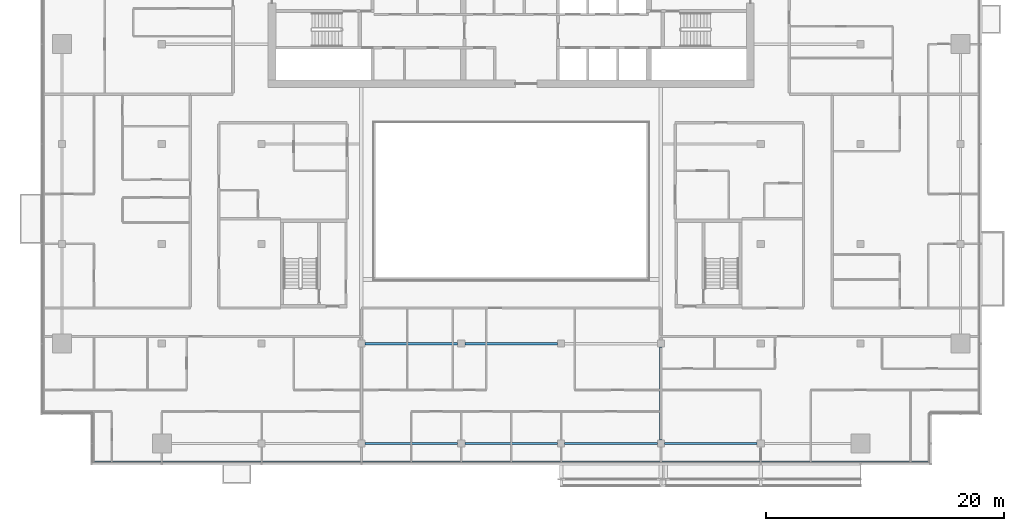
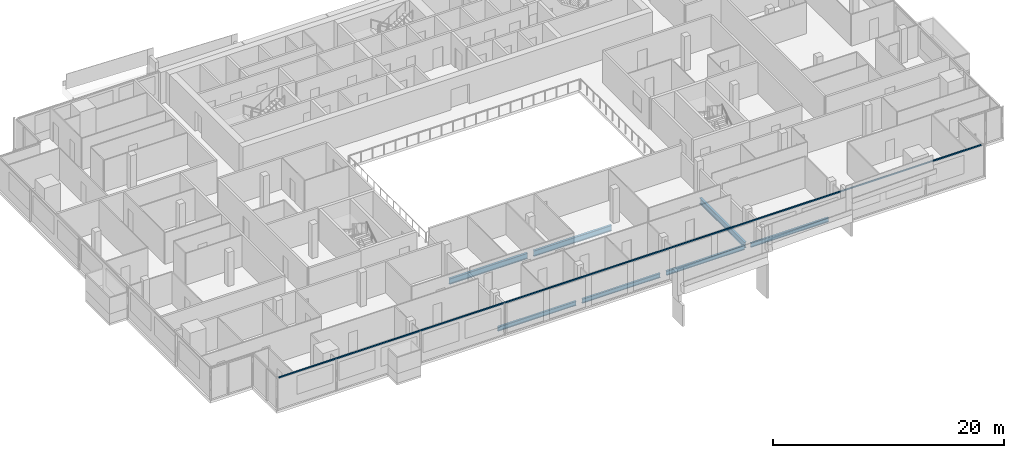
# One storey, part 5 of 27: 7 beams, 1 member, 1 element without a shape of its own.
"""IFC4 building model written with IfcOpenShell, lengths in metres."""

import ifcopenshell
import ifcopenshell.guid

model = None  # the IFC model being written
_history = None  # IfcOwnerHistory: only IFC2X3 demands one
_inside = {}  # id of a spatial element -> (the spatial element, [elements in it])
_under = {}  # id of a project, library or spatial element -> (it, [spatial elements below it])
_declared = {}  # id of a project -> (the project, [libraries it declares])
_typed = {}  # id of a type object -> (the type object, [elements of that type])
_made_of = {}  # id of a material, layer set ... -> (it, [elements and type objects made of it])


def new_model(schema):
    """Start an empty IFC model of exactly this schema.

    Asked for "IFC4X3", IfcOpenShell would pick the latest addendum, in which some entities
    have other attributes; the version numbers below select the first issue.
    IFC2X3 requires an IfcOwnerHistory on every rooted entity: one is made here for all.
    """
    global model, _history
    if schema == "IFC4X3":
        model = ifcopenshell.file(schema_version=(4, 3, 0, 0))
    else:
        model = ifcopenshell.file(schema=schema)
    _inside.clear()
    _under.clear()
    _declared.clear()
    _typed.clear()
    _made_of.clear()
    _history = None
    if model.schema == "IFC2X3":
        org = make("IfcOrganization", Name="unknown")
        user = make(
            "IfcPersonAndOrganization",
            ThePerson=make("IfcPerson", FamilyName="unknown"),
            TheOrganization=org,
        )
        app = make(
            "IfcApplication",
            ApplicationDeveloper=org,
            Version="unknown",
            ApplicationFullName="unknown",
            ApplicationIdentifier="unknown",
        )
        _history = make(
            "IfcOwnerHistory",
            OwningUser=user,
            OwningApplication=app,
            ChangeAction="ADDED",
            CreationDate=0,
        )
    return model


def make(cls, **values):
    """One entity of the class cls with the attributes given. An attribute that is None is left unset."""
    return model.create_entity(
        cls, **{name: value for name, value in values.items() if value is not None}
    )


def rooted(cls, **values):
    """An entity with a GlobalId (a new one), such as an element, a storey or a relation."""
    return make(cls, GlobalId=ifcopenshell.guid.new(), OwnerHistory=_history, **values)


def si_unit(unit_type, name, prefix=None):
    """IfcSIUnit, for example si_unit("LENGTHUNIT", "METRE", prefix="MILLI")."""
    return make("IfcSIUnit", UnitType=unit_type, Prefix=prefix, Name=name)


def assignment(units):
    """IfcUnitAssignment: the units of a project."""
    return None if units is None else make("IfcUnitAssignment", Units=units)


def point(xyz):
    """IfcCartesianPoint."""
    return None if xyz is None else make("IfcCartesianPoint", Coordinates=xyz)


def direction(xyz):
    """IfcDirection."""
    return None if xyz is None else make("IfcDirection", DirectionRatios=xyz)


def frame(location, z_axis=None, x_axis=None):
    """IfcAxis2Placement3D, a coordinate frame: its origin and axes. An axis left out is left unset."""
    return make(
        "IfcAxis2Placement3D",
        Location=point(location),
        Axis=direction(z_axis),
        RefDirection=direction(x_axis),
    )


def frame_2d(location, x_axis=None):
    """IfcAxis2Placement2D, a coordinate frame in the plane: its origin and x axis."""
    return make(
        "IfcAxis2Placement2D", Location=point(location), RefDirection=direction(x_axis)
    )


def origin():
    """The frame at (0, 0, 0) with its axes left unset."""
    return frame((0.0, 0.0, 0.0))


def origin_2d():
    """The frame at (0, 0) in the plane with its x axis left unset."""
    return frame_2d((0.0, 0.0))


def place(relative_to, where):
    """IfcLocalPlacement: puts the frame where relative to a parent placement (None: the world)."""
    return make(
        "IfcLocalPlacement", PlacementRelTo=relative_to, RelativePlacement=where
    )


def context(
    kind, dimensions, precision=None, world=None, true_north=None, identifier=None
):
    """IfcGeometricRepresentationContext, for example the 3D "Model" context."""
    return make(
        "IfcGeometricRepresentationContext",
        ContextIdentifier=identifier,
        ContextType=kind,
        CoordinateSpaceDimension=dimensions,
        Precision=precision,
        WorldCoordinateSystem=world,
        TrueNorth=true_north,
    )


def subcontext(parent, identifier, kind, view, scale=None):
    """IfcGeometricRepresentationSubContext, for example "Body" below "Model"."""
    return make(
        "IfcGeometricRepresentationSubContext",
        ContextIdentifier=identifier,
        ContextType=kind,
        ParentContext=parent,
        TargetScale=scale,
        TargetView=view,
    )


def project(units=None, contexts=None):
    """IfcProject with its units and contexts."""
    return rooted(
        "IfcProject",
        Name="project",
        RepresentationContexts=contexts,
        UnitsInContext=assignment(units),
    )


def spatial(cls, under=None, at=None, **own):
    """A site, building, storey or space (cls), placed at a placement, below another one or the project."""
    s = rooted(cls, ObjectPlacement=at, **own)
    if under is not None:
        _under.setdefault(under.id(), (under, []))[1].append(s)
    return s


def profile(cls, at=None, kind="AREA", **sizes):
    """A parametric profile (cls). Its sizes go by their IFC names, for example OverallWidth=200.0."""
    return make(cls, ProfileType=kind, Position=at, **sizes)


def rectangle(**sizes):
    """IfcRectangleProfileDef."""
    return profile("IfcRectangleProfileDef", **sizes)


def i_section(**sizes):
    """IfcIShapeProfileDef."""
    return profile("IfcIShapeProfileDef", **sizes)


def extrude(swept, where, along, depth):
    """IfcExtrudedAreaSolid: the profile swept, set in the frame where, extruded along a direction by depth."""
    return make(
        "IfcExtrudedAreaSolid",
        SweptArea=swept,
        Position=where,
        ExtrudedDirection=direction(along),
        Depth=depth,
    )


def shape(context_of_items, identifier, shape_type, items):
    """IfcShapeRepresentation: the items that make up one representation, for example the "Body"."""
    return make(
        "IfcShapeRepresentation",
        ContextOfItems=context_of_items,
        RepresentationIdentifier=identifier,
        RepresentationType=shape_type,
        Items=items,
    )


def material(Name=None, Category=None):
    """IfcMaterial."""
    return make("IfcMaterial", Name=Name, Category=Category)


def material_profile(
    of_material, cross_section, Name=None, Category=None, Priority=None
):
    """IfcMaterialProfile: a cross section and its material."""
    return make(
        "IfcMaterialProfile",
        Name=Name,
        Material=of_material,
        Profile=cross_section,
        Priority=Priority,
        Category=Category,
    )


def profile_set(profiles, Name=None, composite=None):
    """IfcMaterialProfileSet."""
    return make(
        "IfcMaterialProfileSet",
        Name=Name,
        MaterialProfiles=profiles,
        CompositeProfile=composite,
    )


def made_of(thing, what):
    """Note that an element or type object is made of a material, layer set ...; save() writes the relation."""
    if what is not None:
        _made_of.setdefault(what.id(), (what, []))[1].append(thing)
    return thing


def type_object(cls, material=None, **own):
    """A type object (cls), such as IfcWallType, which elements share."""
    return made_of(rooted(cls, **own), material)


def element(
    cls,
    number,
    at=None,
    inside=None,
    cuts=None,
    type_object=None,
    material=None,
    context=None,
    identifier="Body",
    shape_type=None,
    held_by="IfcProductDefinitionShape",
    body=None,
    shapes=None,
    **own,
):
    """One element of the class cls, such as IfcWall. Its Tag is "e" and its number.

    at: its placement. inside: the storey or other place that contains it. cuts: it is an
    opening in that element (IfcRelVoidsElement). A single representation is given by context,
    identifier, shape_type and body (its items); several are given by shapes. held_by: the class
    of the entity that holds the representations. save() writes the other relations.
    """
    e = rooted(cls, Tag="e%d" % number, ObjectPlacement=at, **own)
    if body is not None:
        shapes = [shape(context, identifier, shape_type, body)]
    if shapes is not None:
        e.Representation = make(held_by, Representations=shapes)
    if inside is not None:
        _inside.setdefault(inside.id(), (inside, []))[1].append(e)
    if cuts is not None:
        rooted(
            "IfcRelVoidsElement", RelatingBuildingElement=cuts, RelatedOpeningElement=e
        )
    if type_object is not None:
        _typed.setdefault(type_object.id(), (type_object, []))[1].append(e)
    return made_of(e, material)


def aggregate(whole, parts):
    """IfcRelAggregates: a whole, such as a stair, and the parts it consists of."""
    return rooted("IfcRelAggregates", RelatingObject=whole, RelatedObjects=parts)


def save(model, path):
    """Write the relations noted so far, then the file.

    IfcRelAggregates (storeys below a building ...), IfcRelContainedInSpatialStructure (elements
    in a storey), IfcRelDefinesByType, IfcRelAssociatesMaterial and IfcRelDeclares: one each for
    every whole, place, type object, material and project.
    """
    for whole, parts in _under.values():
        aggregate(whole, parts)
    for where, things in _inside.values():
        rooted(
            "IfcRelContainedInSpatialStructure",
            RelatedElements=things,
            RelatingStructure=where,
        )
    for kind, things in _typed.values():
        rooted("IfcRelDefinesByType", RelatedObjects=things, RelatingType=kind)
    for what, things in _made_of.values():
        rooted("IfcRelAssociatesMaterial", RelatedObjects=things, RelatingMaterial=what)
    for by, libraries in _declared.values():
        rooted("IfcRelDeclares", RelatingContext=by, RelatedDefinitions=libraries)
    model.write(path)


model = new_model("IFC4")

# Units and contexts
model_context = context("Model", 3, precision=1e-05, world=origin(), true_north=direction((0.0, 1.0)))
body_context = subcontext(model_context, "Body", "Model", "MODEL_VIEW")
ifc_project = project(units=[si_unit("LENGTHUNIT", "METRE"), si_unit("AREAUNIT", "SQUARE_METRE"), si_unit("VOLUMEUNIT", "CUBIC_METRE"), si_unit("PLANEANGLEUNIT", "RADIAN"), si_unit("MASSUNIT", "GRAM", prefix="KILO")], contexts=[model_context])

# Site, building, storey
site_placement = place(None, origin())
site = spatial("IfcSite", under=ifc_project, at=site_placement, CompositionType="ELEMENT")
building_placement = place(site_placement, origin())
building = spatial("IfcBuilding", under=site, at=building_placement, Name="Saffron Gate Tower", CompositionType="ELEMENT")
storey_placement = place(building_placement, frame((0.0, 0.0, 234.300048828125)))
storey = spatial("IfcBuildingStorey", under=building, at=storey_placement, Name="L57", CompositionType="ELEMENT", Elevation=234.300048828125)

# Beams
ifc_material_1 = material(Name="Structural steel S355", Category="steel")
ifc_material_profile_1 = material_profile(ifc_material_1, i_section(OverallWidth=0.219970703125, OverallDepth=0.60009765625, WebThickness=0.011962890625, FlangeThickness=0.01904296875, FilletRadius=0.02392578125, at=origin_2d()))
ifc_profile_set_1 = profile_set([ifc_material_profile_1], Name="Structural steel S355")
beam_type_1 = type_object("IfcBeamType", Name="B15 IPE 600", PredefinedType="BEAM", material=ifc_profile_set_1)
beam_1_placement = place(storey_placement, frame((100.199951171875, 32.10009765625, -0.580078125), z_axis=(0.0, 1.0, 0.0), x_axis=(-1.0, 0.0, 0.0)))
element("IfcBeam", 1, at=beam_1_placement, inside=storey, type_object=beam_type_1, Name="B15 FLOOR GIRDER", PredefinedType="BEAM", context=body_context, shape_type="SweptSolid", body=[
    extrude(i_section(OverallWidth=0.219970703125, OverallDepth=0.60009765625, WebThickness=0.011962890625, FlangeThickness=0.01904296875, FilletRadius=0.02392578125, at=origin_2d()), origin(), (0.0, 0.0, 1.0), 7.7998046875),
])
for number, where, z_axis, x_axis, name in (
    (2, (75.300048828125, 40.199951171875, -0.580078125), (1.0, 0.0, 0.0), (0.0, 1.0, 0.0), "B15 FLOOR GIRDER"),
    (3, (83.699951171875, 40.199951171875, -0.580078125), (1.0, 0.0, 0.0), (0.0, 1.0, 0.0), "B15 FLOOR GIRDER"),
):
    element("IfcBeam", number, at=place(storey_placement, frame(where, z_axis=z_axis, x_axis=x_axis)), inside=storey, type_object=beam_type_1, Name=name, PredefinedType="BEAM", context=body_context, shape_type="SweptSolid", body=[
        extrude(i_section(OverallWidth=0.219970703125, OverallDepth=0.60009765625, WebThickness=0.011962890625, FlangeThickness=0.01904296875, FilletRadius=0.02392578125, at=origin_2d()), origin(), (0.0, 0.0, 1.0), 7.800048828125),
    ])
ifc_material_profile_2 = material_profile(ifc_material_1, i_section(OverallWidth=0.18994140625, OverallDepth=0.449951171875, WebThickness=0.009521484375, FlangeThickness=0.0146484375, FilletRadius=0.02099609375, at=origin_2d()))
ifc_profile_set_2 = profile_set([ifc_material_profile_2], Name="Structural steel S355")
beam_type_2 = type_object("IfcBeamType", Name="B7 IPE 450", PredefinedType="SPANDREL", material=ifc_profile_set_2)
for number, where, z_axis, x_axis, name in (
    (4, (75.300048828125, 31.800048828125, -0.505126953125), (1.0, 0.0, 0.0), (0.0, 1.0, 0.0), "B7 SPANDREL BEAM"),
    (5, (83.699951171875, 31.800048828125, -0.505126953125), (1.0, 0.0, 0.0), (0.0, 1.0, 0.0), "B7 SPANDREL BEAM"),
):
    element("IfcBeam", number, at=place(storey_placement, frame(where, z_axis=z_axis, x_axis=x_axis)), inside=storey, type_object=beam_type_2, Name=name, PredefinedType="SPANDREL", context=body_context, shape_type="SweptSolid", body=[
        extrude(i_section(OverallWidth=0.18994140625, OverallDepth=0.449951171875, WebThickness=0.009521484375, FlangeThickness=0.0146484375, FilletRadius=0.02099609375, at=origin_2d()), origin(), (0.0, 0.0, 1.0), 7.800048828125),
    ])
beam_2_placement = place(storey_placement, frame((92.10009765625, 31.800048828125, -0.505126953125), z_axis=(1.0, 0.0, 0.0), x_axis=(0.0, 1.0, 0.0)))
element("IfcBeam", 6, at=beam_2_placement, inside=storey, type_object=beam_type_2, Name="B7 SPANDREL BEAM", PredefinedType="SPANDREL", context=body_context, shape_type="SweptSolid", body=[
    extrude(i_section(OverallWidth=0.18994140625, OverallDepth=0.449951171875, WebThickness=0.009521484375, FlangeThickness=0.0146484375, FilletRadius=0.02099609375, at=origin_2d()), origin(), (0.0, 0.0, 1.0), 7.7998046875),
])
beam_3_placement = place(storey_placement, frame((100.5, 31.800048828125, -0.505126953125), z_axis=(1.0, 0.0, 0.0), x_axis=(0.0, 1.0, 0.0)))
element("IfcBeam", 7, at=beam_3_placement, inside=storey, type_object=beam_type_2, Name="B7 SPANDREL BEAM", PredefinedType="SPANDREL", context=body_context, shape_type="SweptSolid", body=[
    extrude(i_section(OverallWidth=0.18994140625, OverallDepth=0.449951171875, WebThickness=0.009521484375, FlangeThickness=0.0146484375, FilletRadius=0.02099609375, at=origin_2d()), origin(), (0.0, 0.0, 1.0), 7.800048828125),
])

# Curtain wall, member
ifc_material_2 = material(Name="Aluminium, bronze anodised", Category="aluminium")
curtain_wall_type = type_object("IfcCurtainWallType", Name="CWS1 curtain wall front facade", PredefinedType="NOTDEFINED", material=ifc_material_2)
curtain_wall_placement = place(storey_placement, origin())
curtain_wall = element("IfcCurtainWall", 8, at=curtain_wall_placement, inside=storey, type_object=curtain_wall_type, Name="CWS1 run 1", PredefinedType="NOTDEFINED")
ifc_material_profile_3 = material_profile(ifc_material_2, rectangle(XDim=0.1201171875, YDim=0.1201171875, at=origin_2d()))
ifc_profile_set_3 = profile_set([ifc_material_profile_3], Name="Aluminium, bronze anodised")
member_type = type_object("IfcMemberType", Name="CWS1 head transom", PredefinedType="USERDEFINED", material=ifc_profile_set_3)
member_placement = place(storey_placement, frame((52.568115234375, 30.248046875, 3.260009765625), z_axis=(1.0, 0.0, 0.0), x_axis=(0.0, 1.0, 0.0)))
member = element("IfcMember", 9, at=member_placement, type_object=member_type, Name="CWS1 head transom", ObjectType="TRANSOM", PredefinedType="USERDEFINED", context=body_context, shape_type="SweptSolid", body=[
    extrude(rectangle(XDim=0.1201171875, YDim=0.1201171875, at=origin_2d()), origin(), (0.0, 0.0, 1.0), 70.06396484375),
])
aggregate(curtain_wall, [member])

save(model, "model.ifc")
